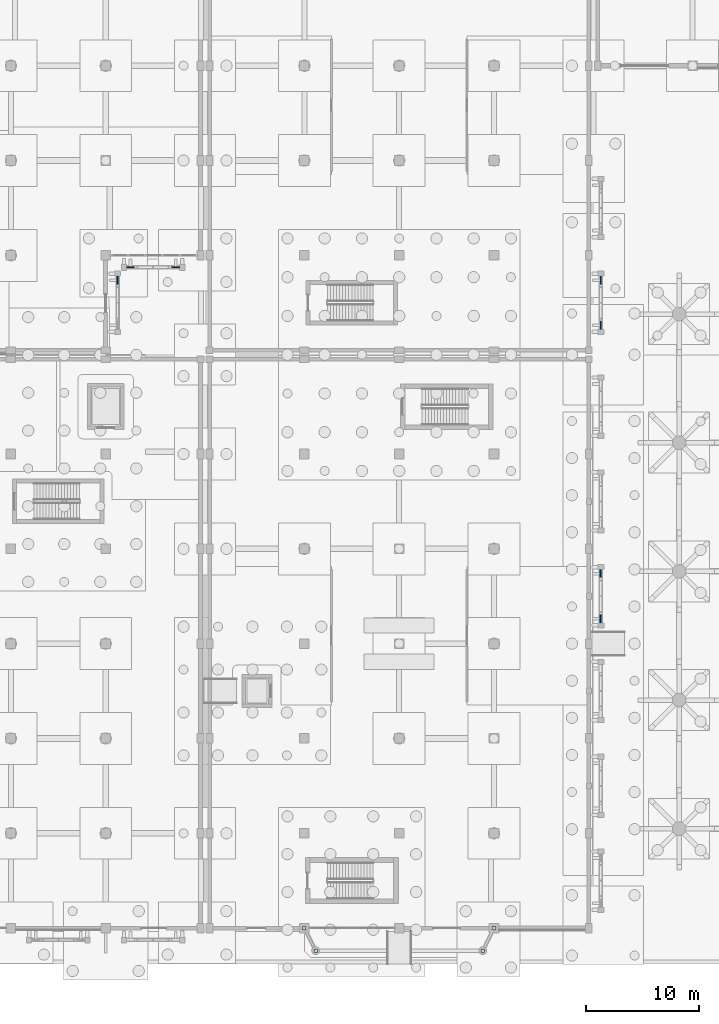
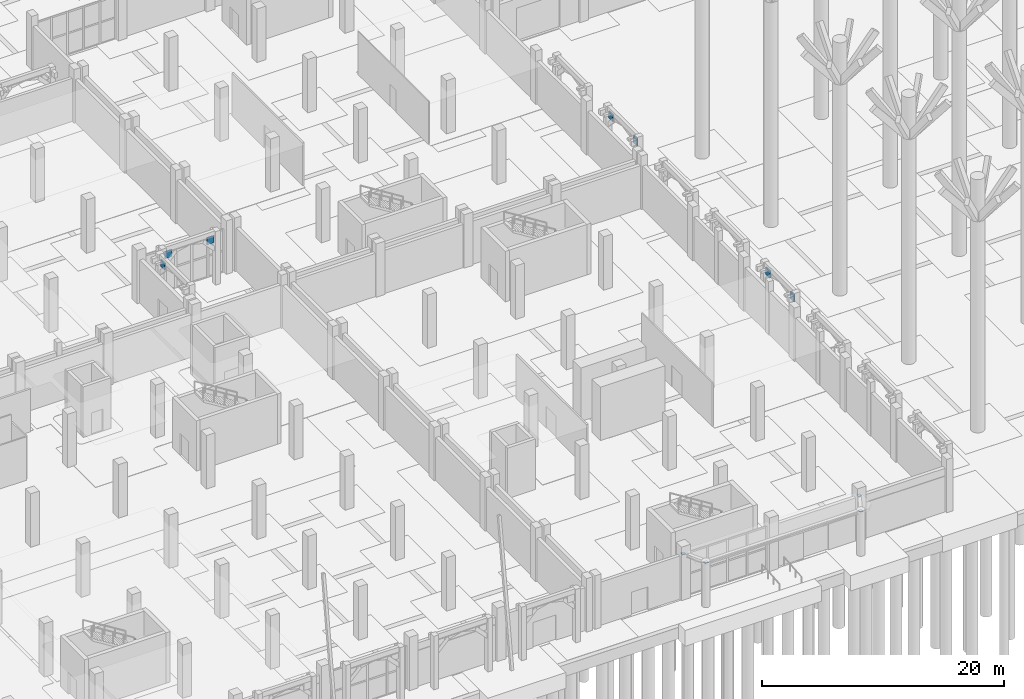
# One storey, part 58 of 98: 11 plates.
"""IFC4 building model written with IfcOpenShell, lengths in metres."""

from ifc_helpers import new_model, si_unit, direction, frame, origin, origin_2d, place, context, subcontext, project, spatial, rectangle, extrude, material, layer, layer_set, type_object, element, save


model = new_model("IFC4")

# Units and contexts
model_context = context("Model", 3, precision=1e-05, world=origin(), true_north=direction((0.0, 1.0)))
body_context = subcontext(model_context, "Body", "Model", "MODEL_VIEW")
ifc_project = project(units=[si_unit("LENGTHUNIT", "METRE"), si_unit("AREAUNIT", "SQUARE_METRE"), si_unit("VOLUMEUNIT", "CUBIC_METRE"), si_unit("PLANEANGLEUNIT", "RADIAN"), si_unit("MASSUNIT", "GRAM", prefix="KILO")], contexts=[model_context])

# Site, building, storey
site_placement = place(None, origin())
site = spatial("IfcSite", under=ifc_project, at=site_placement, CompositionType="ELEMENT")
building_placement = place(site_placement, origin())
building = spatial("IfcBuilding", under=site, at=building_placement, Name="Xazarin Passage Department Store", CompositionType="ELEMENT")
storey_placement = place(building_placement, origin())
storey = spatial("IfcBuildingStorey", under=building, at=storey_placement, Name="L00", CompositionType="ELEMENT", Elevation=0.0)

# Plates
ifc_material_1 = material(Name="Precast concrete C40/50", Category="concrete")
ifc_layer_1 = layer(ifc_material_1, 0.080078125)
ifc_layer_set_1 = layer_set([ifc_layer_1], Name="Precast concrete C40/50")
plate_type_1 = type_object("IfcPlateType", Name="ARC-PLT-SCR-01", PredefinedType="USERDEFINED", material=ifc_layer_set_1)
for number, where, z_axis, x_axis, name in (
    (1, (61.0, 58.550048828125, 4.16015625), (0.0, 0.0, 1.0), (1.0, 0.0, 0.0), "L00 V1 Arch Spandrel Tympanum 0061"),
    (2, (65.0, 58.550048828125, 4.16015625), (0.0, 0.0, 1.0), (1.0, 0.0, 0.0), "L00 V1 Arch Spandrel Tympanum 0062"),
):
    element("IfcPlate", number, at=place(storey_placement, frame(where, z_axis=z_axis, x_axis=x_axis)), inside=storey, type_object=plate_type_1, Name=name, ObjectType="SCREEN PANEL", PredefinedType="USERDEFINED", context=body_context, shape_type="SweptSolid", body=[
        extrude(rectangle(XDim=0.679931640625, YDim=0.080078125, at=origin_2d()), origin(), (0.0, 0.0, 1.0), 0.719970703125),
    ])
ifc_layer_2 = layer(ifc_material_1, 0.10009765625)
ifc_layer_set_2 = layer_set([ifc_layer_2], Name="Precast concrete C40/50")
plate_type_2 = type_object("IfcPlateType", Name="ARC-PLT-SCR-03", PredefinedType="USERDEFINED", material=ifc_layer_set_2)
for number, where, z_axis, x_axis, name in (
    (3, (102.64990234375, 53.39990234375, 4.16015625), (0.0, 0.0, 1.0), (0.0, 1.0, 0.0), "L00 V2N Arch Spandrel Tympanum 0203"),
    (4, (102.64990234375, 57.39990234375, 4.16015625), (0.0, 0.0, 1.0), (0.0, 1.0, 0.0), "L00 V2N Arch Spandrel Tympanum 0204"),
):
    element("IfcPlate", number, at=place(storey_placement, frame(where, z_axis=z_axis, x_axis=x_axis)), inside=storey, type_object=plate_type_2, Name=name, ObjectType="SCREEN PANEL", PredefinedType="USERDEFINED", context=body_context, shape_type="SweptSolid", body=[
        extrude(rectangle(XDim=0.679931640625, YDim=0.10009765625, at=origin_2d()), origin(), (0.0, 0.0, 1.0), 0.719970703125),
    ])
ifc_layer_3 = layer(ifc_material_1, 0.1201171875)
ifc_layer_set_3 = layer_set([ifc_layer_3], Name="Precast concrete C40/50")
plate_type_3 = type_object("IfcPlateType", Name="ARC-PLT-SCR-05", PredefinedType="USERDEFINED", material=ifc_layer_set_3)
for number, where, z_axis, x_axis, name in (
    (5, (59.85009765625, 57.39990234375, 4.16015625), (0.0, 0.0, 1.0), (0.0, 1.0, 0.0), "L00 V1 Arch Spandrel Tympanum 0166"),
    (6, (102.64990234375, 27.39990234375, 4.16015625), (0.0, 0.0, 1.0), (0.0, 1.0, 0.0), "L00 V2S Arch Spandrel Tympanum 0185"),
    (7, (102.64990234375, 31.39990234375, 4.16015625), (0.0, 0.0, 1.0), (0.0, 1.0, 0.0), "L00 V2S Arch Spandrel Tympanum 0186"),
):
    element("IfcPlate", number, at=place(storey_placement, frame(where, z_axis=z_axis, x_axis=x_axis)), inside=storey, type_object=plate_type_3, Name=name, ObjectType="SCREEN PANEL", PredefinedType="USERDEFINED", context=body_context, shape_type="SweptSolid", body=[
        extrude(rectangle(XDim=0.679931640625, YDim=0.1201171875, at=origin_2d()), origin(), (0.0, 0.0, 1.0), 0.719970703125),
    ])
ifc_material_2 = material(Name="Steel S355", Category="steel")
ifc_layer_4 = layer(ifc_material_2, 0.02001953125)
ifc_layer_set_4 = layer_set([ifc_layer_4], Name="Steel S355")
plate_type_4 = type_object("IfcPlateType", Name="STR-PLT-CAP20", PredefinedType="USERDEFINED", material=ifc_layer_set_4)
for number, where, z_axis, x_axis, name in (
    (8, (76.39990234375, 0.0, 4.35400390625), (0.0, 0.0, 1.0), (1.0, 0.0, 0.0), "Entrance Canopy Chord End Cap CN2-1-1"),
    (9, (77.39990234375, -2.0, 4.35400390625), (0.0, 0.0, 1.0), (1.0, 0.0, 0.0), "Entrance Canopy Chord End Cap CN2-1-2"),
    (10, (93.199951171875, 0.0, 4.35400390625), (0.0, 0.0, 1.0), (1.0, 0.0, 0.0), "Entrance Canopy Chord End Cap CN2-2-1"),
    (11, (92.199951171875, -2.0, 4.35400390625), (0.0, 0.0, 1.0), (1.0, 0.0, 0.0), "Entrance Canopy Chord End Cap CN2-2-2"),
):
    element("IfcPlate", number, at=place(storey_placement, frame(where, z_axis=z_axis, x_axis=x_axis)), inside=storey, type_object=plate_type_4, Name=name, ObjectType="GUSSET PLATE", PredefinedType="USERDEFINED", context=body_context, shape_type="SweptSolid", body=[
        extrude(rectangle(XDim=0.320068359375, YDim=0.320068359375, at=origin_2d()), origin(), (0.0, 0.0, 1.0), 0.031982421875),
    ])

save(model, "model.ifc")
